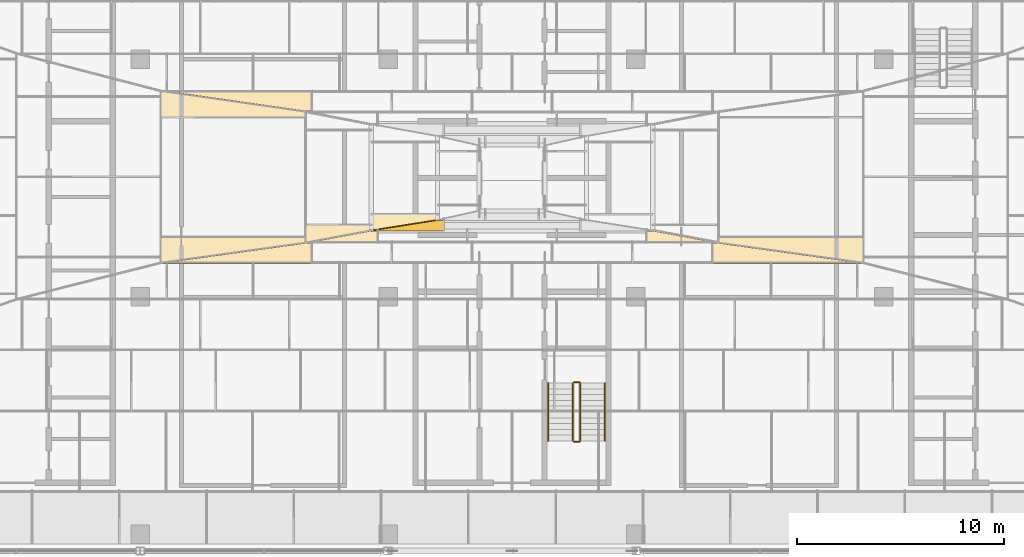
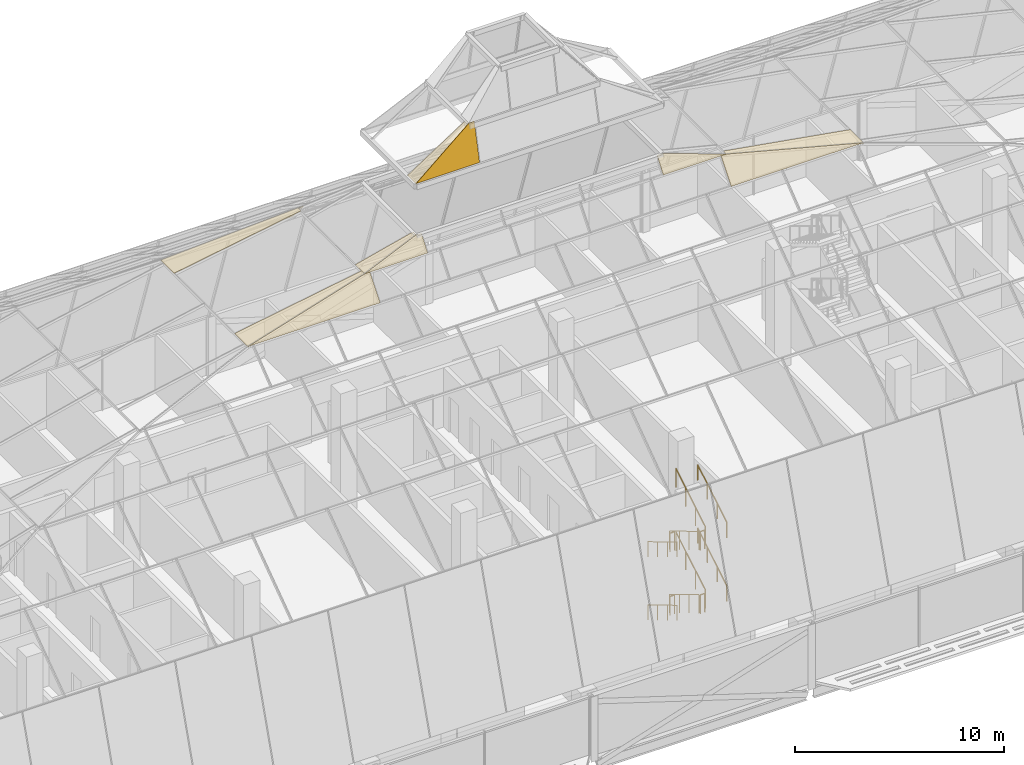
# One storey, part 36 of 39: 12 railings, 11 coverings.
"""IFC4 building model written with IfcOpenShell, lengths in metres."""

from ifc_helpers import new_model, si_unit, direction, frame, origin, origin_2d, place, context, subcontext, project, spatial, polyline, circle, outline, extrude, material, layer, layer_set, type_object, element, save


model = new_model("IFC4")

# Units and contexts
model_context = context("Model", 3, precision=1e-05, world=origin(), true_north=direction((0.0, 1.0)))
body_context = subcontext(model_context, "Body", "Model", "MODEL_VIEW")
ifc_project = project(units=[si_unit("LENGTHUNIT", "METRE"), si_unit("AREAUNIT", "SQUARE_METRE"), si_unit("VOLUMEUNIT", "CUBIC_METRE"), si_unit("PLANEANGLEUNIT", "RADIAN"), si_unit("MASSUNIT", "GRAM", prefix="KILO")], contexts=[model_context])

# Site, building, storey
site_placement = place(None, origin())
site = spatial("IfcSite", under=ifc_project, at=site_placement, CompositionType="ELEMENT")
building_placement = place(site_placement, origin())
building = spatial("IfcBuilding", under=site, at=building_placement, Name="Mahtab Terrace Research Tower", CompositionType="ELEMENT")
storey_placement = place(building_placement, frame((0.0, 0.0, 282.300048828125)))
storey = spatial("IfcBuildingStorey", under=building, at=storey_placement, Name="L69", CompositionType="ELEMENT", Elevation=282.300048828125)

# Coverings
ifc_material_1 = material(Name="Turquoise ceramic tile cladding", Category="ceramic")
ifc_layer = layer(ifc_material_1, 0.0400390625)
ifc_layer_set = layer_set([ifc_layer], Name="Crown hip cladding panel")
covering_type = type_object("IfcCoveringType", Name="Crown hip cladding panel", PredefinedType="CLADDING", material=ifc_layer_set)
covering_1_placement = place(storey_placement, frame((-10.006591796875, 2.59814453125, 20.39990234375), z_axis=(0.0, -0.776456974126, 0.630170268523), x_axis=(1.0, 0.0, 0.0)))
element("IfcCovering", 1, at=covering_1_placement, inside=storey, type_object=covering_type, Name="CWC-S6 hip cladding 1", PredefinedType="CLADDING", context=body_context, shape_type="SweptSolid", body=[
    extrude(outline(polyline([(0.0, 0.0), (0.300048828125, 0.0), (0.300048828125, -1.5454187570727291), (-7.00439453125, -1.5454187570727291), (0.0, 0.0)])), origin(), (0.0, 0.0, -1.0), 0.0400390625),
])
covering_2_placement = place(storey_placement, frame((10.006591796875, 2.59814453125, 20.39990234375), z_axis=(0.0, -0.776456974126, 0.630170268523), x_axis=(0.976514044141, -0.135772552181, -0.167290572567)))
element("IfcCovering", 2, at=covering_2_placement, inside=storey, type_object=covering_type, Name="CWC-S6 hip cladding 7", PredefinedType="CLADDING", context=body_context, shape_type="SweptSolid", body=[
    extrude(outline(polyline([(0.0, 0.0), (7.17285590850096, 3.3306690738754696e-16), (0.039964383439762524, -1.5737697677956852), (-0.2930018945920723, -0.06464664743543894), (0.0, 0.0)])), origin(), (0.0, 0.0, -1.0), 0.0400390625),
])
covering_3_placement = place(storey_placement, frame((-6.81396484375, 3.193115234375, 21.199951171875), z_axis=(0.0, -0.8024322757, 0.59674319679), x_axis=(1.0, 0.0, 0.0)))
element("IfcCovering", 3, at=covering_3_placement, inside=storey, type_object=covering_type, Name="CWC-S7 hip cladding 1", PredefinedType="CLADDING", context=body_context, shape_type="SweptSolid", body=[
    extrude(outline(polyline([(0.0, 0.0), (0.300048828125, 0.0), (0.300048828125, -0.9970297212025541), (-3.192626953125, -0.9970297212025541), (0.0, 0.0)])), origin(), (0.0, 0.0, -1.0), 0.0400390625),
])
covering_4_placement = place(storey_placement, frame((6.81396484375, 3.193115234375, 21.199951171875), z_axis=(0.0, -0.8024322757, 0.59674319679), x_axis=(0.954536667412, -0.177885283971, -0.239199866874)))
element("IfcCovering", 4, at=covering_4_placement, inside=storey, type_object=covering_type, Name="CWC-S7 hip cladding 5", PredefinedType="CLADDING", context=body_context, shape_type="SweptSolid", body=[
    extrude(outline(polyline([(0.0, 0.0), (3.3446875977856982, 3.3306690738754696e-16), (0.010800497200310344, -1.041144040697854), (-0.28640760845934865, -0.08944261331033572), (0.0, 0.0)])), origin(), (0.0, 0.0, -1.0), 0.0400390625),
])
covering_5_placement = place(storey_placement, frame((10.006591796875, 2.59814453125, 20.39990234375), z_axis=(0.168854156391, 0.0, 0.985641047172), x_axis=(0.0, 1.0, 0.0)))
element("IfcCovering", 5, at=covering_5_placement, inside=storey, type_object=covering_type, Name="CWC-E6 hip cladding 1", PredefinedType="CLADDING", context=body_context, shape_type="SweptSolid", body=[
    extrude(outline(polyline([(0.0, 0.0), (0.300048828125, 0.0), (0.300048828125, -7.106435503421465), (-0.973876953125, -7.106435503421465), (0.0, 0.0)])), origin(), (0.0, 0.0, -1.0), 0.0400390625),
])
covering_6_placement = place(storey_placement, frame((-9.70654296875, 9.9921875, 19.199951171875), z_axis=(0.0, 0.767747332932, 0.640752707973), x_axis=(0.0, -0.640752707973, 0.767747332932)))
element("IfcCovering", 6, at=covering_6_placement, inside=storey, type_object=covering_type, Name="CWC-N6 hip cladding 1", PredefinedType="CLADDING", context=body_context, shape_type="SweptSolid", body=[
    extrude(outline(polyline([(0.0, 0.0), (1.5629506224290637, 0.0), (1.5629506224290637, -0.300048828125), (0.0, -7.304443359375), (0.0, 0.0)])), origin(), (0.0, 0.0, -1.0), 0.0400390625),
])
covering_7_placement = place(storey_placement, frame((-17.010986328125, 2.898193359375, 19.199951171875), z_axis=(-0.168854156391, 0.0, 0.985641047172), x_axis=(0.985641047172, 0.0, 0.168854156391)))
element("IfcCovering", 7, at=covering_7_placement, inside=storey, type_object=covering_type, Name="CWC-W6 hip cladding 1", PredefinedType="CLADDING", context=body_context, shape_type="SweptSolid", body=[
    extrude(outline(polyline([(0.0, 0.0), (7.106435503421466, 0.0), (7.106435503421466, -0.30004882812499994), (0.0, -1.2739257812499998), (0.0, 0.0)])), origin(), (0.0, 0.0, -1.0), 0.0400390625),
])
covering_8_placement = place(storey_placement, frame((-17.010986328125, 9.9921875, 19.199951171875), z_axis=(-0.168854156391, 0.0, 0.985641047172), x_axis=(0.975997294482, -0.139544820563, 0.167202046092)))
element("IfcCovering", 8, at=covering_8_placement, inside=storey, type_object=covering_type, Name="CWC-W6 hip cladding 3", PredefinedType="CLADDING", context=body_context, shape_type="SweptSolid", body=[
    extrude(outline(polyline([(0.0, 0.0), (7.176653635055569, -2.42861286636753e-17), (7.218489826376843, -0.29687132522812365), (0.18158542324299126, -1.2885375923989406), (0.0, 0.0)])), origin(), (0.0, 0.0, -1.0), 0.0400390625),
])
covering_9_placement = place(storey_placement, frame((-10.006591796875, 3.4931640625, 20.39990234375), z_axis=(-0.243076639991, 0.0, 0.970007086103), x_axis=(0.970007086103, 0.0, 0.243076639991)))
element("IfcCovering", 9, at=covering_9_placement, inside=storey, type_object=covering_type, Name="CWC-W7 hip cladding 1", PredefinedType="CLADDING", context=body_context, shape_type="SweptSolid", body=[
    extrude(outline(polyline([(0.0, 0.0), (3.291343948785117, 0.0), (3.291343948785117, -0.300048828125), (0.0, -0.89501953125), (0.0, 0.0)])), origin(), (0.0, 0.0, -1.0), 0.0400390625),
])
covering_10_placement = place(storey_placement, frame((-3.60009765625, 3.699951171875, 26.300048828125), z_axis=(0.0, -0.972091096112, 0.234603710245), x_axis=(1.0, 0.0, 0.0)))
element("IfcCovering", 10, at=covering_10_placement, inside=storey, type_object=covering_type, Name="CWC-S8 hip cladding 1", PredefinedType="CLADDING", context=body_context, shape_type="SweptSolid", body=[
    extrude(outline(polyline([(0.0, 0.0), (0.300048828125, 0.0), (0.300048828125, -2.160391824028282), (-3.2138671875, -2.160391824028282), (0.0, 0.0)])), origin(), (0.0, 0.0, -1.0), 0.0400390625),
])
covering_11_placement = place(storey_placement, frame((-6.81396484375, 4.0, 24.199951171875), z_axis=(-0.547016325747, 0.0, 0.83712193817), x_axis=(0.83712193817, 0.0, 0.547016325747)))
element("IfcCovering", 11, at=covering_11_placement, inside=storey, type_object=covering_type, Name="CWC-W8 hip cladding 1", PredefinedType="CLADDING", context=body_context, shape_type="SweptSolid", body=[
    extrude(outline(polyline([(0.0, 0.0), (3.839186432654177, 0.0), (3.839186432654177, -0.300048828125), (0.0, -0.806884765625), (0.0, 0.0)])), origin(), (0.0, 0.0, -1.0), 0.0400390625),
])

# Railings
ifc_material_2 = material(Name="Stainless steel AISI 304", Category="steel")
railing_type_1 = type_object("IfcRailingType", Name="Stair guard 1100", PredefinedType="GUARDRAIL", material=ifc_material_2)
railing_1_placement = place(storey_placement, frame((2.949951171875, -4.175048828125, 0.168212890625)))
element("IfcRailing", 12, at=railing_1_placement, inside=storey, type_object=railing_type_1, Name="L69 ST2 stair guard 1", PredefinedType="GUARDRAIL", context=body_context, shape_type="SweptSolid", body=[
    extrude(circle(Radius=0.02392578125, at=origin_2d()), frame((0.0, 0.0, 1.076171875), z_axis=(0.0, -0.857275202839, 0.514858452973), x_axis=(1.0, 0.0, 0.0)), (0.0, 0.0, 1.0), 3.26611328125),
    extrude(circle(Radius=0.02099609375, at=origin_2d()), origin(), (0.0, 0.0, 1.0), 1.052001953125),
    extrude(circle(Radius=0.02099609375, at=origin_2d()), frame((0.0, -0.933349609375, 0.560546875)), (0.0, 0.0, 1.0), 1.052001953125),
    extrude(circle(Radius=0.02099609375, at=origin_2d()), frame((0.0, -1.86669921875, 1.12109375)), (0.0, 0.0, 1.0), 1.052001953125),
    extrude(circle(Radius=0.02099609375, at=origin_2d()), frame((0.0, -2.800048828125, 1.681640625)), (0.0, 0.0, 1.0), 1.052001953125),
])
railing_2_placement = place(storey_placement, frame((3.0, -7.02490234375, 1.849853515625)))
element("IfcRailing", 13, at=railing_2_placement, inside=storey, type_object=railing_type_1, Name="L69 ST2 stair guard 2", PredefinedType="GUARDRAIL", context=body_context, shape_type="SweptSolid", body=[
    extrude(circle(Radius=0.02392578125, at=origin_2d()), frame((0.0, 0.0, 1.076171875), z_axis=(1.0, 0.0, 0.0), x_axis=(0.0, 1.0, 0.0)), (0.0, 0.0, 1.0), 0.25),
    extrude(circle(Radius=0.02099609375, at=origin_2d()), origin(), (0.0, 0.0, 1.0), 1.052001953125),
    extrude(circle(Radius=0.02099609375, at=origin_2d()), frame((0.25, 0.0, 0.0)), (0.0, 0.0, 1.0), 1.052001953125),
])
railing_3_placement = place(storey_placement, frame((3.300048828125, -6.97509765625, 2.01806640625)))
element("IfcRailing", 14, at=railing_3_placement, inside=storey, type_object=railing_type_1, Name="L69 ST2 stair guard 3", PredefinedType="GUARDRAIL", context=body_context, shape_type="SweptSolid", body=[
    extrude(circle(Radius=0.02392578125, at=origin_2d()), frame((0.0, 0.0, 1.076171875), z_axis=(0.0, 0.857242210791, 0.514913383045), x_axis=(-1.0, 0.0, 0.0)), (0.0, 0.0, 1.0), 3.266357421875),
    extrude(circle(Radius=0.02099609375, at=origin_2d()), origin(), (0.0, 0.0, 1.0), 1.052001953125),
    extrude(circle(Radius=0.02099609375, at=origin_2d()), frame((0.0, 0.933349609375, 0.560546875)), (0.0, 0.0, 1.0), 1.052001953125),
    extrude(circle(Radius=0.02099609375, at=origin_2d()), frame((0.0, 1.86669921875, 1.121337890625)), (0.0, 0.0, 1.0), 1.052001953125),
    extrude(circle(Radius=0.02099609375, at=origin_2d()), frame((0.0, 2.800048828125, 1.681884765625)), (0.0, 0.0, 1.0), 1.052001953125),
])
railing_4_placement = place(storey_placement, frame((3.0, -4.125, 3.699951171875)))
element("IfcRailing", 15, at=railing_4_placement, inside=storey, type_object=railing_type_1, Name="L69 ST2 stair guard 4", PredefinedType="GUARDRAIL", context=body_context, shape_type="SweptSolid", body=[
    extrude(circle(Radius=0.02392578125, at=origin_2d()), frame((0.0, 0.0, 1.076171875), z_axis=(1.0, 0.0, 0.0), x_axis=(0.0, 1.0, 0.0)), (0.0, 0.0, 1.0), 0.25),
    extrude(circle(Radius=0.02099609375, at=origin_2d()), origin(), (0.0, 0.0, 1.0), 1.052001953125),
    extrude(circle(Radius=0.02099609375, at=origin_2d()), frame((0.25, 0.0, 0.0)), (0.0, 0.0, 1.0), 1.052001953125),
])
railing_5_placement = place(storey_placement, frame((2.949951171875, -4.175048828125, 3.8681640625)))
element("IfcRailing", 16, at=railing_5_placement, inside=storey, type_object=railing_type_1, Name="L69 ST2 stair guard 5", PredefinedType="GUARDRAIL", context=body_context, shape_type="SweptSolid", body=[
    extrude(circle(Radius=0.02392578125, at=origin_2d()), frame((0.0, 0.0, 1.076171875), z_axis=(0.0, -0.857242210791, 0.514913383045), x_axis=(1.0, 0.0, 0.0)), (0.0, 0.0, 1.0), 3.266357421875),
    extrude(circle(Radius=0.02099609375, at=origin_2d()), origin(), (0.0, 0.0, 1.0), 1.052001953125),
    extrude(circle(Radius=0.02099609375, at=origin_2d()), frame((0.0, -0.933349609375, 0.560546875)), (0.0, 0.0, 1.0), 1.052001953125),
    extrude(circle(Radius=0.02099609375, at=origin_2d()), frame((0.0, -1.86669921875, 1.121337890625)), (0.0, 0.0, 1.0), 1.052001953125),
    extrude(circle(Radius=0.02099609375, at=origin_2d()), frame((0.0, -2.800048828125, 1.681884765625)), (0.0, 0.0, 1.0), 1.052001953125),
])
railing_6_placement = place(storey_placement, frame((3.0, -7.02490234375, 5.550048828125)))
element("IfcRailing", 17, at=railing_6_placement, inside=storey, type_object=railing_type_1, Name="L69 ST2 stair guard 6", PredefinedType="GUARDRAIL", context=body_context, shape_type="SweptSolid", body=[
    extrude(circle(Radius=0.02392578125, at=origin_2d()), frame((0.0, 0.0, 1.076171875), z_axis=(1.0, 0.0, 0.0), x_axis=(0.0, 1.0, 0.0)), (0.0, 0.0, 1.0), 0.25),
    extrude(circle(Radius=0.02099609375, at=origin_2d()), origin(), (0.0, 0.0, 1.0), 1.052001953125),
    extrude(circle(Radius=0.02099609375, at=origin_2d()), frame((0.25, 0.0, 0.0)), (0.0, 0.0, 1.0), 1.052001953125),
])
railing_7_placement = place(storey_placement, frame((3.300048828125, -6.97509765625, 5.718017578125)))
element("IfcRailing", 18, at=railing_7_placement, inside=storey, type_object=railing_type_1, Name="L69 ST2 stair guard 7", PredefinedType="GUARDRAIL", context=body_context, shape_type="SweptSolid", body=[
    extrude(circle(Radius=0.02392578125, at=origin_2d()), frame((0.0, 0.0, 1.076171875), z_axis=(0.0, 0.857242210791, 0.514913383045), x_axis=(-1.0, 0.0, 0.0)), (0.0, 0.0, 1.0), 3.266357421875),
    extrude(circle(Radius=0.02099609375, at=origin_2d()), origin(), (0.0, 0.0, 1.0), 1.052001953125),
    extrude(circle(Radius=0.02099609375, at=origin_2d()), frame((0.0, 0.933349609375, 0.560546875)), (0.0, 0.0, 1.0), 1.052001953125),
    extrude(circle(Radius=0.02099609375, at=origin_2d()), frame((0.0, 1.86669921875, 1.121337890625)), (0.0, 0.0, 1.0), 1.052001953125),
    extrude(circle(Radius=0.02099609375, at=origin_2d()), frame((0.0, 2.800048828125, 1.681884765625)), (0.0, 0.0, 1.0), 1.052001953125),
])
railing_8_placement = place(storey_placement, frame((3.0, -4.125, 0.0)))
element("IfcRailing", 19, at=railing_8_placement, inside=storey, type_object=railing_type_1, Name="L69 ST2 stair guard 8", PredefinedType="GUARDRAIL", context=body_context, shape_type="SweptSolid", body=[
    extrude(circle(Radius=0.02392578125, at=origin_2d()), frame((0.0, 0.0, 1.076171875), z_axis=(1.0, 0.0, 0.0), x_axis=(0.0, 1.0, 0.0)), (0.0, 0.0, 1.0), 0.25),
    extrude(circle(Radius=0.02099609375, at=origin_2d()), origin(), (0.0, 0.0, 1.0), 1.052001953125),
    extrude(circle(Radius=0.02099609375, at=origin_2d()), frame((0.25, 0.0, 0.0)), (0.0, 0.0, 1.0), 1.052001953125),
])
railing_type_2 = type_object("IfcRailingType", Name="Stair handrail 900", PredefinedType="HANDRAIL", material=ifc_material_2)
railing_9_placement = place(storey_placement, frame((1.75, -4.175048828125, 0.168212890625)))
element("IfcRailing", 20, at=railing_9_placement, inside=storey, type_object=railing_type_2, Name="L69 ST2 stair handrail 1", PredefinedType="HANDRAIL", context=body_context, shape_type="SweptSolid", body=[
    extrude(circle(Radius=0.02392578125, at=origin_2d()), frame((0.0, 0.0, 0.8759765625), z_axis=(0.0, -0.857275202839, 0.514858452973), x_axis=(1.0, 0.0, 0.0)), (0.0, 0.0, 1.0), 3.26611328125),
    extrude(circle(Radius=0.02099609375, at=origin_2d()), origin(), (0.0, 0.0, 1.0), 0.851806640625),
    extrude(circle(Radius=0.02099609375, at=origin_2d()), frame((0.0, -0.933349609375, 0.560546875)), (0.0, 0.0, 1.0), 0.851806640625),
    extrude(circle(Radius=0.02099609375, at=origin_2d()), frame((0.0, -1.86669921875, 1.12109375)), (0.0, 0.0, 1.0), 0.851806640625),
    extrude(circle(Radius=0.02099609375, at=origin_2d()), frame((0.0, -2.800048828125, 1.681640625)), (0.0, 0.0, 1.0), 0.851806640625),
])
railing_10_placement = place(storey_placement, frame((4.5, -6.97509765625, 2.01806640625)))
element("IfcRailing", 21, at=railing_10_placement, inside=storey, type_object=railing_type_2, Name="L69 ST2 stair handrail 2", PredefinedType="HANDRAIL", context=body_context, shape_type="SweptSolid", body=[
    extrude(circle(Radius=0.02392578125, at=origin_2d()), frame((0.0, 0.0, 0.8759765625), z_axis=(0.0, 0.857242210791, 0.514913383045), x_axis=(-1.0, 0.0, 0.0)), (0.0, 0.0, 1.0), 3.266357421875),
    extrude(circle(Radius=0.02099609375, at=origin_2d()), origin(), (0.0, 0.0, 1.0), 0.851806640625),
    extrude(circle(Radius=0.02099609375, at=origin_2d()), frame((0.0, 0.933349609375, 0.560546875)), (0.0, 0.0, 1.0), 0.851806640625),
    extrude(circle(Radius=0.02099609375, at=origin_2d()), frame((0.0, 1.86669921875, 1.121337890625)), (0.0, 0.0, 1.0), 0.851806640625),
    extrude(circle(Radius=0.02099609375, at=origin_2d()), frame((0.0, 2.800048828125, 1.681884765625)), (0.0, 0.0, 1.0), 0.851806640625),
])
railing_11_placement = place(storey_placement, frame((1.75, -4.175048828125, 3.8681640625)))
element("IfcRailing", 22, at=railing_11_placement, inside=storey, type_object=railing_type_2, Name="L69 ST2 stair handrail 3", PredefinedType="HANDRAIL", context=body_context, shape_type="SweptSolid", body=[
    extrude(circle(Radius=0.02392578125, at=origin_2d()), frame((0.0, 0.0, 0.8759765625), z_axis=(0.0, -0.857242210791, 0.514913383045), x_axis=(1.0, 0.0, 0.0)), (0.0, 0.0, 1.0), 3.266357421875),
    extrude(circle(Radius=0.02099609375, at=origin_2d()), origin(), (0.0, 0.0, 1.0), 0.851806640625),
    extrude(circle(Radius=0.02099609375, at=origin_2d()), frame((0.0, -0.933349609375, 0.560546875)), (0.0, 0.0, 1.0), 0.851806640625),
    extrude(circle(Radius=0.02099609375, at=origin_2d()), frame((0.0, -1.86669921875, 1.121337890625)), (0.0, 0.0, 1.0), 0.851806640625),
    extrude(circle(Radius=0.02099609375, at=origin_2d()), frame((0.0, -2.800048828125, 1.681884765625)), (0.0, 0.0, 1.0), 0.851806640625),
])
railing_12_placement = place(storey_placement, frame((4.5, -6.97509765625, 5.718017578125)))
element("IfcRailing", 23, at=railing_12_placement, inside=storey, type_object=railing_type_2, Name="L69 ST2 stair handrail 4", PredefinedType="HANDRAIL", context=body_context, shape_type="SweptSolid", body=[
    extrude(circle(Radius=0.02392578125, at=origin_2d()), frame((0.0, 0.0, 0.8759765625), z_axis=(0.0, 0.857242210791, 0.514913383045), x_axis=(-1.0, 0.0, 0.0)), (0.0, 0.0, 1.0), 3.266357421875),
    extrude(circle(Radius=0.02099609375, at=origin_2d()), origin(), (0.0, 0.0, 1.0), 0.851806640625),
    extrude(circle(Radius=0.02099609375, at=origin_2d()), frame((0.0, 0.933349609375, 0.560546875)), (0.0, 0.0, 1.0), 0.851806640625),
    extrude(circle(Radius=0.02099609375, at=origin_2d()), frame((0.0, 1.86669921875, 1.121337890625)), (0.0, 0.0, 1.0), 0.851806640625),
    extrude(circle(Radius=0.02099609375, at=origin_2d()), frame((0.0, 2.800048828125, 1.681884765625)), (0.0, 0.0, 1.0), 0.851806640625),
])

save(model, "model.ifc")
